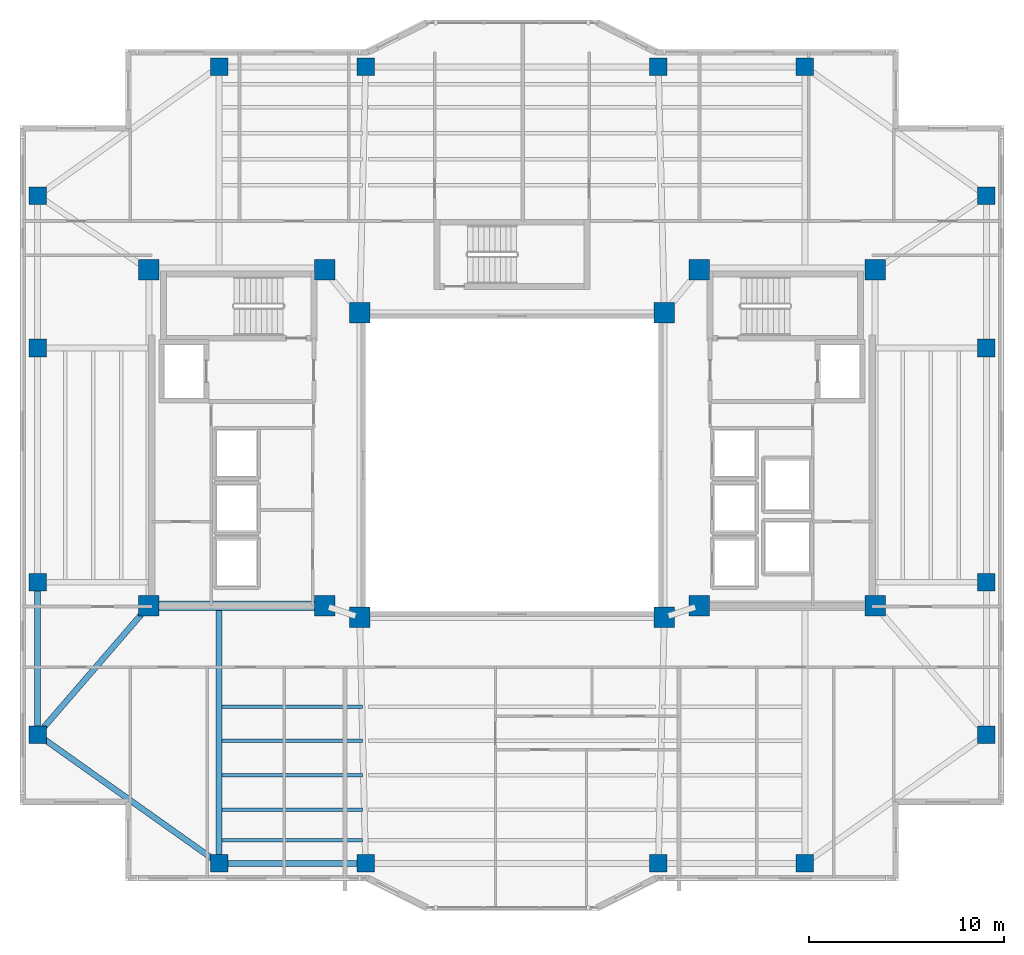
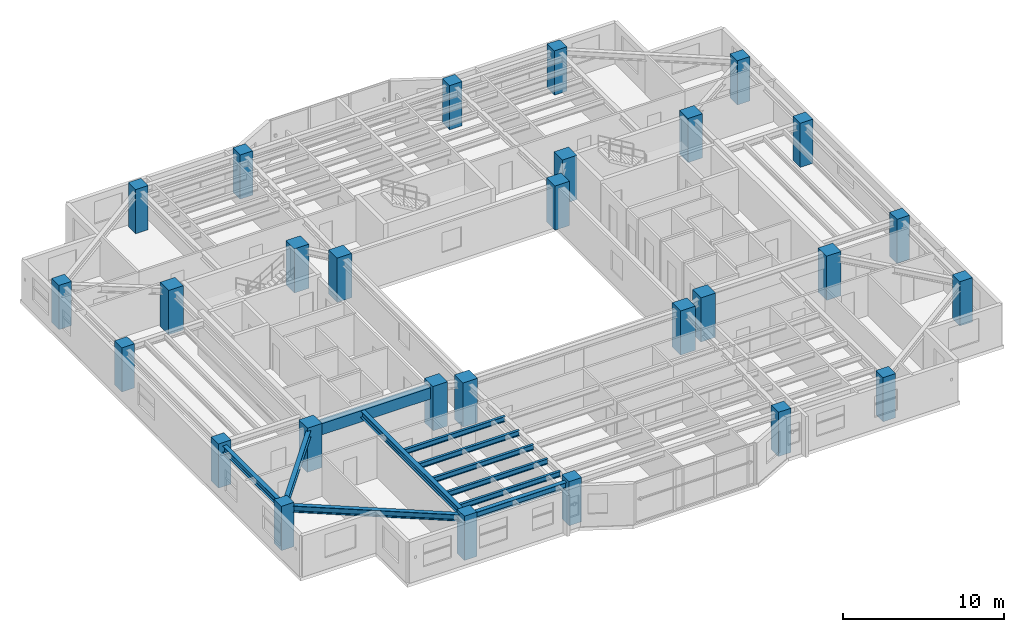
# One storey, part 1 of 15: 28 columns, 11 beams.
"""IFC4 building model written with IfcOpenShell, lengths in metres."""

from ifc_helpers import new_model, si_unit, direction, frame, origin, origin_2d, place, context, subcontext, project, spatial, rectangle, i_section, extrude, material, material_profile, profile_set, type_object, element, save


model = new_model("IFC4")

# Units and contexts
model_context = context("Model", 3, precision=1e-05, world=origin(), true_north=direction((0.0, 1.0)))
body_context = subcontext(model_context, "Body", "Model", "MODEL_VIEW")
ifc_project = project(units=[si_unit("LENGTHUNIT", "METRE"), si_unit("AREAUNIT", "SQUARE_METRE"), si_unit("VOLUMEUNIT", "CUBIC_METRE"), si_unit("PLANEANGLEUNIT", "RADIAN"), si_unit("MASSUNIT", "GRAM", prefix="KILO")], contexts=[model_context])

# Site, building, storey
site_placement = place(None, origin())
site = spatial("IfcSite", under=ifc_project, at=site_placement, CompositionType="ELEMENT")
building_placement = place(site_placement, origin())
building = spatial("IfcBuilding", under=site, at=building_placement, Name="Tarnavaz Court Tower", CompositionType="ELEMENT")
storey_placement = place(building_placement, frame((0.0, 0.0, 139.300048828125)))
storey = spatial("IfcBuildingStorey", under=building, at=storey_placement, Name="L37", CompositionType="ELEMENT", Elevation=139.300048828125)

# Columns
ifc_material_1 = material(Name="Concrete C60/75", Category="concrete")
ifc_material_profile_1 = material_profile(ifc_material_1, rectangle(XDim=1.050048828125, YDim=1.050048828125, at=origin_2d()), Name="RC 1050X1050")
ifc_profile_set_1 = profile_set([ifc_material_profile_1], Name="Concrete C60/75")
column_type_1 = type_object("IfcColumnType", Name="CL-RC1050", PredefinedType="COLUMN", material=ifc_profile_set_1)
for number, where, z_axis, x_axis, name in (
    (1, (-7.800048828125, -7.800048828125, 0.0), (0.0, 0.0, 1.0), (1.0, 0.0, 0.0), "L37 Column IW-SW"),
    (2, (7.800048828125, -7.800048828125, 0.0), (0.0, 0.0, 1.0), (1.0, 0.0, 0.0), "L37 Column IW-SE"),
    (3, (-7.800048828125, 7.800048828125, 0.0), (0.0, 0.0, 1.0), (1.0, 0.0, 0.0), "L37 Column IW-NW"),
    (4, (7.800048828125, 7.800048828125, 0.0), (0.0, 0.0, 1.0), (1.0, 0.0, 0.0), "L37 Column IW-NE"),
    (5, (-9.60009765625, -7.199951171875, 0.0), (0.0, 0.0, 1.0), (1.0, 0.0, 0.0), "L37 Column CW-SI"),
    (6, (-9.60009765625, 10.0, 0.0), (0.0, 0.0, 1.0), (1.0, 0.0, 0.0), "L37 Column CW-NI"),
    (7, (9.60009765625, -7.199951171875, 0.0), (0.0, 0.0, 1.0), (1.0, 0.0, 0.0), "L37 Column CE-SI"),
    (8, (9.60009765625, 10.0, 0.0), (0.0, 0.0, 1.0), (1.0, 0.0, 0.0), "L37 Column CE-NI"),
    (9, (-18.60009765625, -7.199951171875, 0.0), (0.0, 0.0, 1.0), (1.0, 0.0, 0.0), "L37 Column CW-SO"),
    (10, (-18.60009765625, 10.0, 0.0), (0.0, 0.0, 1.0), (1.0, 0.0, 0.0), "L37 Column CW-NO"),
    (11, (18.60009765625, -7.199951171875, 0.0), (0.0, 0.0, 1.0), (1.0, 0.0, 0.0), "L37 Column CE-SO"),
    (12, (18.60009765625, 10.0, 0.0), (0.0, 0.0, 1.0), (1.0, 0.0, 0.0), "L37 Column CE-NO"),
):
    element("IfcColumn", number, at=place(storey_placement, frame(where, z_axis=z_axis, x_axis=x_axis)), inside=storey, type_object=column_type_1, Name=name, PredefinedType="COLUMN", context=body_context, shape_type="SweptSolid", body=[
        extrude(rectangle(XDim=1.050048828125, YDim=1.050048828125, at=origin_2d()), origin(), (0.0, 0.0, 1.0), 3.349853515625),
    ])
ifc_material_2 = material(Name="Concrete C50/60", Category="concrete")
ifc_material_profile_2 = material_profile(ifc_material_2, rectangle(XDim=0.89990234375, YDim=0.89990234375, at=origin_2d()), Name="RC 900X900")
ifc_profile_set_2 = profile_set([ifc_material_profile_2], Name="Concrete C50/60")
column_type_2 = type_object("IfcColumnType", Name="CL-RC900", PredefinedType="COLUMN", material=ifc_profile_set_2)
for number, where, z_axis, x_axis, name in (
    (13, (-15.0, 20.39990234375, 0.0), (0.0, 0.0, 1.0), (1.0, 0.0, 0.0), "L37 Column PN-1"),
    (14, (-7.5, 20.39990234375, 0.0), (0.0, 0.0, 1.0), (1.0, 0.0, 0.0), "L37 Column PN-2"),
    (15, (7.5, 20.39990234375, 0.0), (0.0, 0.0, 1.0), (1.0, 0.0, 0.0), "L37 Column PN-3"),
    (16, (15.0, 20.39990234375, 0.0), (0.0, 0.0, 1.0), (1.0, 0.0, 0.0), "L37 Column PN-4"),
    (17, (-15.0, -20.39990234375, 0.0), (0.0, 0.0, 1.0), (1.0, 0.0, 0.0), "L37 Column PS-1"),
    (18, (-7.5, -20.39990234375, 0.0), (0.0, 0.0, 1.0), (1.0, 0.0, 0.0), "L37 Column PS-2"),
    (19, (7.5, -20.39990234375, 0.0), (0.0, 0.0, 1.0), (1.0, 0.0, 0.0), "L37 Column PS-3"),
    (20, (15.0, -20.39990234375, 0.0), (0.0, 0.0, 1.0), (1.0, 0.0, 0.0), "L37 Column PS-4"),
    (21, (24.300048828125, -13.800048828125, 0.0), (0.0, 0.0, 1.0), (1.0, 0.0, 0.0), "L37 Column PE-1"),
    (22, (24.300048828125, -6.0, 0.0), (0.0, 0.0, 1.0), (1.0, 0.0, 0.0), "L37 Column PE-2"),
    (23, (24.300048828125, 6.0, 0.0), (0.0, 0.0, 1.0), (1.0, 0.0, 0.0), "L37 Column PE-3"),
    (24, (24.300048828125, 13.800048828125, 0.0), (0.0, 0.0, 1.0), (1.0, 0.0, 0.0), "L37 Column PE-4"),
    (25, (-24.300048828125, -13.800048828125, 0.0), (0.0, 0.0, 1.0), (1.0, 0.0, 0.0), "L37 Column PW-1"),
    (26, (-24.300048828125, -6.0, 0.0), (0.0, 0.0, 1.0), (1.0, 0.0, 0.0), "L37 Column PW-2"),
    (27, (-24.300048828125, 6.0, 0.0), (0.0, 0.0, 1.0), (1.0, 0.0, 0.0), "L37 Column PW-3"),
    (28, (-24.300048828125, 13.800048828125, 0.0), (0.0, 0.0, 1.0), (1.0, 0.0, 0.0), "L37 Column PW-4"),
):
    element("IfcColumn", number, at=place(storey_placement, frame(where, z_axis=z_axis, x_axis=x_axis)), inside=storey, type_object=column_type_2, Name=name, PredefinedType="COLUMN", context=body_context, shape_type="SweptSolid", body=[
        extrude(rectangle(XDim=0.89990234375, YDim=0.89990234375, at=origin_2d()), origin(), (0.0, 0.0, 1.0), 3.349853515625),
    ])

# Beams
ifc_material_profile_3 = material_profile(ifc_material_2, rectangle(XDim=0.5, YDim=0.85009765625, at=origin_2d()), Name="RC 500X850")
ifc_profile_set_3 = profile_set([ifc_material_profile_3], Name="Concrete C50/60")
beam_type_1 = type_object("IfcBeamType", Name="BM-CB850", PredefinedType="LINTEL", material=ifc_profile_set_3)
beam_1_placement = place(storey_placement, frame((-18.3798828125, -7.199951171875, 2.675048828125), z_axis=(1.0, 0.0, 0.0), x_axis=(0.0, 1.0, 0.0)))
element("IfcBeam", 29, at=beam_1_placement, inside=storey, type_object=beam_type_1, Name="L37 Beam IN-CW-SO-CW-SI", PredefinedType="LINTEL", context=body_context, shape_type="SweptSolid", body=[
    extrude(rectangle(XDim=0.5, YDim=0.85009765625, at=origin_2d()), origin(), (0.0, 0.0, 1.0), 8.559814453125),
])
ifc_material_3 = material(Name="Steel S355", Category="steel")
ifc_material_profile_4 = material_profile(ifc_material_3, i_section(OverallWidth=0.300048828125, OverallDepth=0.5, WebThickness=0.014404296875, FlangeThickness=0.028076171875, FilletRadius=0.027099609375, at=origin_2d()), Name="HEB 500")
ifc_profile_set_4 = profile_set([ifc_material_profile_4], Name="Steel S355")
beam_type_2 = type_object("IfcBeamType", Name="BM-G-HEB500", PredefinedType="USERDEFINED", material=ifc_profile_set_4)
beam_2_placement = place(storey_placement, frame((-15.0, -7.239990234375, 2.849853515625), z_axis=(0.0, -1.0, 0.0), x_axis=(1.0, 0.0, 0.0)))
element("IfcBeam", 30, at=beam_2_placement, inside=storey, type_object=beam_type_2, Name="L37 Beam RG-05", ObjectType="GIRDER", PredefinedType="USERDEFINED", context=body_context, shape_type="SweptSolid", body=[
    extrude(i_section(OverallWidth=0.300048828125, OverallDepth=0.5, WebThickness=0.014404296875, FlangeThickness=0.028076171875, FilletRadius=0.027099609375, at=origin_2d()), origin(), (0.0, 0.0, 1.0), 12.93994140625),
])
beam_3_placement = place(storey_placement, frame((-18.743896484375, -7.366455078125, 2.849853515625), z_axis=(-0.653610659012, -0.756830962914, 0.0), x_axis=(0.756830962914, -0.653610659012, 0.0)))
element("IfcBeam", 31, at=beam_3_placement, inside=storey, type_object=beam_type_2, Name="L37 Beam RG-15", ObjectType="GIRDER", PredefinedType="USERDEFINED", context=body_context, shape_type="SweptSolid", body=[
    extrude(i_section(OverallWidth=0.300048828125, OverallDepth=0.5, WebThickness=0.014404296875, FlangeThickness=0.028076171875, FilletRadius=0.027099609375, at=origin_2d()), origin(), (0.0, 0.0, 1.0), 8.28076171875),
])
ifc_material_profile_5 = material_profile(ifc_material_3, i_section(OverallWidth=0.179931640625, OverallDepth=0.39990234375, WebThickness=0.008544921875, FlangeThickness=0.013427734375, FilletRadius=0.02099609375, at=origin_2d()), Name="IPE 400")
ifc_profile_set_5 = profile_set([ifc_material_profile_5], Name="Steel S355")
beam_type_3 = type_object("IfcBeamType", Name="BM-J-IPE400", PredefinedType="JOIST", material=ifc_profile_set_5)
for number, where, z_axis, x_axis, name in (
    (32, (-14.85009765625, -12.364013671875, 2.89990234375), (1.0, 0.0, 0.0), (0.0, 1.0, 0.0), "L37 Beam JS1-1"),
    (33, (-14.85009765625, -14.1279296875, 2.89990234375), (1.0, 0.0, 0.0), (0.0, 1.0, 0.0), "L37 Beam JS2-1"),
    (34, (-14.85009765625, -15.89208984375, 2.89990234375), (1.0, 0.0, 0.0), (0.0, 1.0, 0.0), "L37 Beam JS3-1"),
    (35, (-14.85009765625, -17.656005859375, 2.89990234375), (1.0, 0.0, 0.0), (0.0, 1.0, 0.0), "L37 Beam JS4-1"),
    (36, (-14.85009765625, -19.22412109375, 2.89990234375), (1.0, 0.0, 0.0), (0.0, 1.0, 0.0), "L37 Beam JS5-1"),
):
    element("IfcBeam", number, at=place(storey_placement, frame(where, z_axis=z_axis, x_axis=x_axis)), inside=storey, type_object=beam_type_3, Name=name, PredefinedType="JOIST", context=body_context, shape_type="SweptSolid", body=[
        extrude(i_section(OverallWidth=0.179931640625, OverallDepth=0.39990234375, WebThickness=0.008544921875, FlangeThickness=0.013427734375, FilletRadius=0.02099609375, at=origin_2d()), origin(), (0.0, 0.0, 1.0), 7.2001953125),
    ])
ifc_material_profile_6 = material_profile(ifc_material_3, i_section(OverallWidth=0.300048828125, OverallDepth=0.489990234375, WebThickness=0.011962890625, FlangeThickness=0.02294921875, FilletRadius=0.027099609375, at=origin_2d()), Name="HEA 500")
ifc_profile_set_6 = profile_set([ifc_material_profile_6], Name="Steel S355")
beam_type_4 = type_object("IfcBeamType", Name="BM-SP-HEA500", PredefinedType="SPANDREL", material=ifc_profile_set_6)
beam_4_placement = place(storey_placement, frame((-14.780029296875, -20.39990234375, 2.85498046875), z_axis=(1.0, 0.0, 0.0), x_axis=(0.0, 1.0, 0.0)))
element("IfcBeam", 37, at=beam_4_placement, inside=storey, type_object=beam_type_4, Name="L37 Beam PR-PS-1-PS-2", PredefinedType="SPANDREL", context=body_context, shape_type="SweptSolid", body=[
    extrude(i_section(OverallWidth=0.300048828125, OverallDepth=0.489990234375, WebThickness=0.011962890625, FlangeThickness=0.02294921875, FilletRadius=0.027099609375, at=origin_2d()), origin(), (0.0, 0.0, 1.0), 7.06005859375),
])
beam_5_placement = place(storey_placement, frame((-24.300048828125, -13.580078125, 2.85498046875), z_axis=(0.0, 1.0, 0.0), x_axis=(-1.0, 0.0, 0.0)))
element("IfcBeam", 38, at=beam_5_placement, inside=storey, type_object=beam_type_4, Name="L37 Beam PR-PW-1-PW-2", PredefinedType="SPANDREL", context=body_context, shape_type="SweptSolid", body=[
    extrude(i_section(OverallWidth=0.300048828125, OverallDepth=0.489990234375, WebThickness=0.011962890625, FlangeThickness=0.02294921875, FilletRadius=0.027099609375, at=origin_2d()), origin(), (0.0, 0.0, 1.0), 7.360107421875),
])
beam_6_placement = place(storey_placement, frame((-15.179443359375, -20.272705078125, 2.85498046875), z_axis=(-0.815502059396, 0.57875417158, 0.0), x_axis=(-0.57875417158, -0.815502059396, 0.0)))
element("IfcBeam", 39, at=beam_6_placement, inside=storey, type_object=beam_type_4, Name="L37 Beam PR-PS-1-PW-1", PredefinedType="SPANDREL", context=body_context, shape_type="SweptSolid", body=[
    extrude(i_section(OverallWidth=0.300048828125, OverallDepth=0.489990234375, WebThickness=0.011962890625, FlangeThickness=0.02294921875, FilletRadius=0.027099609375, at=origin_2d()), origin(), (0.0, 0.0, 1.0), 10.964111328125),
])

save(model, "model.ifc")
